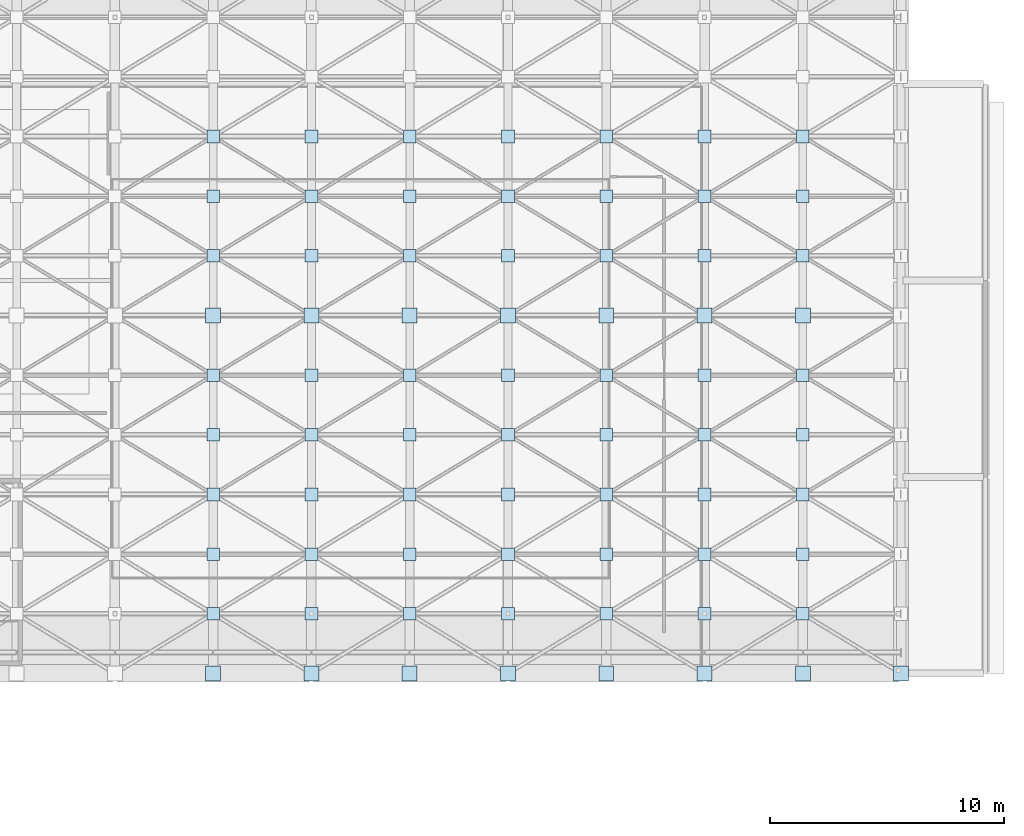
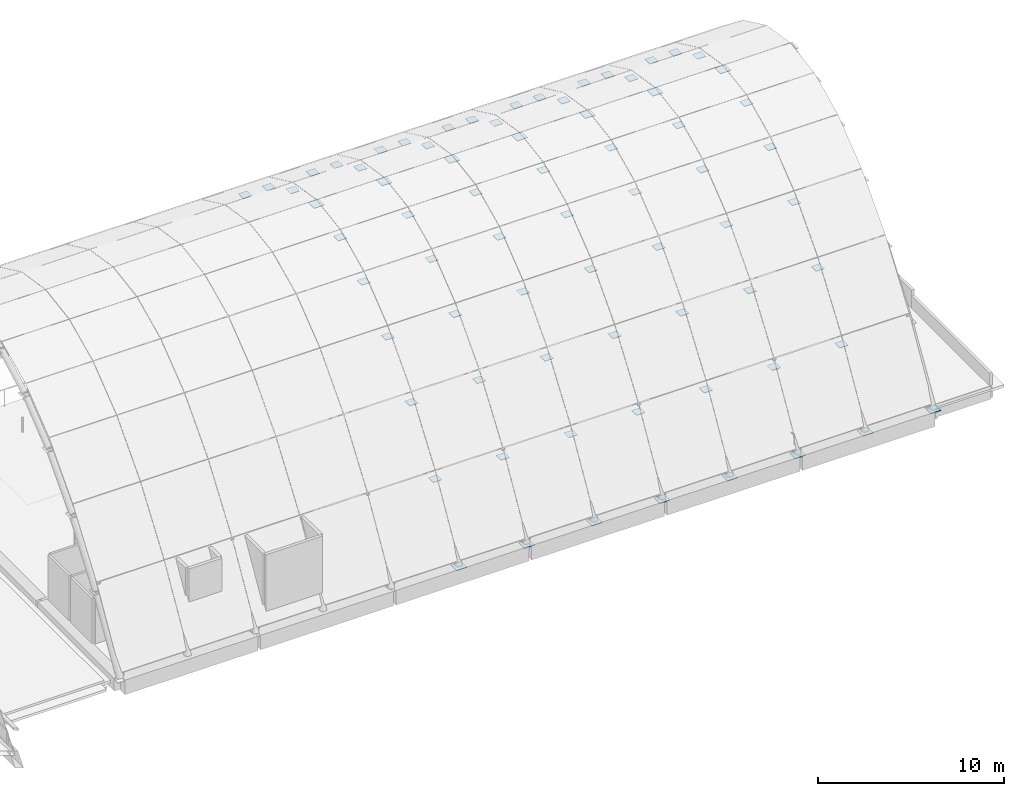
# One storey, part 48 of 128: 71 plates.
"""IFC4 building model written with IfcOpenShell, lengths in metres."""

from ifc_helpers import new_model, si_unit, direction, frame, origin, origin_2d, place, context, subcontext, project, spatial, rectangle, extrude, material, layer, layer_set, type_object, element, save


model = new_model("IFC4")

# Units and contexts
model_context = context("Model", 3, precision=1e-05, world=origin(), true_north=direction((0.0, 1.0)))
body_context = subcontext(model_context, "Body", "Model", "MODEL_VIEW")
ifc_project = project(units=[si_unit("LENGTHUNIT", "METRE"), si_unit("AREAUNIT", "SQUARE_METRE"), si_unit("VOLUMEUNIT", "CUBIC_METRE"), si_unit("PLANEANGLEUNIT", "RADIAN"), si_unit("MASSUNIT", "GRAM", prefix="KILO")], contexts=[model_context])

# Site, building, storey
site_placement = place(None, origin())
site = spatial("IfcSite", under=ifc_project, at=site_placement, CompositionType="ELEMENT")
building_placement = place(site_placement, origin())
building = spatial("IfcBuilding", under=site, at=building_placement, Name="Telukmera Botanical Conservatory", CompositionType="ELEMENT")
storey_placement = place(building_placement, frame((0.0, 0.0, 5.39990234375)))
storey = spatial("IfcBuildingStorey", under=building, at=storey_placement, Name="L01", CompositionType="ELEMENT", Elevation=5.39990234375)

# Plates
ifc_material = material(Name="Steel S355", Category="steel")
ifc_layer_1 = layer(ifc_material, 0.031982421875)
ifc_layer_set_1 = layer_set([ifc_layer_1], Name="Steel S355")
plate_type_1 = type_object("IfcPlateType", Name="Plate_GN1", PredefinedType="USERDEFINED", material=ifc_layer_set_1)
for number, where, z_axis, x_axis, name in (
    (1, (138.60009765625, 17.60009765625, -0.095703125), (0.0, 0.0, 1.0), (1.0, 0.0, 0.0), "GN1 Gridshell Welded Node Drum (05-00)"),
    (2, (138.60009765625, 32.89990234375, 14.38427734375), (0.0, 0.0, 1.0), (1.0, 0.0, 0.0), "GN1 Gridshell Welded Node Drum (05-06)"),
    (3, (142.800048828125, 17.60009765625, -0.095703125), (0.0, 0.0, 1.0), (1.0, 0.0, 0.0), "GN1 Gridshell Welded Node Drum (06-00)"),
    (4, (142.800048828125, 32.89990234375, 14.38427734375), (0.0, 0.0, 1.0), (1.0, 0.0, 0.0), "GN1 Gridshell Welded Node Drum (06-06)"),
    (5, (147.0, 17.60009765625, -0.095703125), (0.0, 0.0, 1.0), (1.0, 0.0, 0.0), "GN1 Gridshell Welded Node Drum (07-00)"),
    (6, (147.0, 32.89990234375, 14.38427734375), (0.0, 0.0, 1.0), (1.0, 0.0, 0.0), "GN1 Gridshell Welded Node Drum (07-06)"),
    (7, (151.199951171875, 17.60009765625, -0.095703125), (0.0, 0.0, 1.0), (1.0, 0.0, 0.0), "GN1 Gridshell Welded Node Drum (08-00)"),
    (8, (151.199951171875, 32.89990234375, 14.38427734375), (0.0, 0.0, 1.0), (1.0, 0.0, 0.0), "GN1 Gridshell Welded Node Drum (08-06)"),
    (9, (155.39990234375, 17.60009765625, -0.095703125), (0.0, 0.0, 1.0), (1.0, 0.0, 0.0), "GN1 Gridshell Welded Node Drum (09-00)"),
    (10, (155.39990234375, 32.89990234375, 14.38427734375), (0.0, 0.0, 1.0), (1.0, 0.0, 0.0), "GN1 Gridshell Welded Node Drum (09-06)"),
    (11, (159.60009765625, 17.60009765625, -0.095703125), (0.0, 0.0, 1.0), (1.0, 0.0, 0.0), "GN1 Gridshell Welded Node Drum (10-00)"),
    (12, (159.60009765625, 32.89990234375, 14.38427734375), (0.0, 0.0, 1.0), (1.0, 0.0, 0.0), "GN1 Gridshell Welded Node Drum (10-06)"),
    (13, (163.800048828125, 17.60009765625, -0.095703125), (0.0, 0.0, 1.0), (1.0, 0.0, 0.0), "GN1 Gridshell Welded Node Drum (11-00)"),
    (14, (163.800048828125, 32.89990234375, 14.38427734375), (0.0, 0.0, 1.0), (1.0, 0.0, 0.0), "GN1 Gridshell Welded Node Drum (11-06)"),
    (15, (168.0, 17.60009765625, -0.095703125), (0.0, 0.0, 1.0), (1.0, 0.0, 0.0), "GN1 Gridshell Welded Node Drum (12-00)"),
):
    element("IfcPlate", number, at=place(storey_placement, frame(where, z_axis=z_axis, x_axis=x_axis)), inside=storey, type_object=plate_type_1, Name=name, ObjectType="GUSSET_PLATE", PredefinedType="USERDEFINED", context=body_context, shape_type="SweptSolid", body=[
        extrude(rectangle(XDim=0.639892578125, YDim=0.639892578125, at=origin_2d()), origin(), (0.0, 0.0, 1.0), 0.031982421875),
    ])
ifc_layer_2 = layer(ifc_material, 0.02490234375)
ifc_layer_set_2 = layer_set([ifc_layer_2], Name="Steel S355")
plate_type_2 = type_object("IfcPlateType", Name="Plate_GN2", PredefinedType="USERDEFINED", material=ifc_layer_set_2)
for number, where, z_axis, x_axis, name in (
    (16, (138.60009765625, 20.14990234375, 4.0908203125), (0.0, 0.0, 1.0), (1.0, 0.0, 0.0), "GN2 Gridshell Welded Node Drum (05-01)"),
    (17, (138.60009765625, 22.699951171875, 7.56591796875), (0.0, 0.0, 1.0), (1.0, 0.0, 0.0), "GN2 Gridshell Welded Node Drum (05-02)"),
    (18, (138.60009765625, 25.25, 10.333251953125), (0.0, 0.0, 1.0), (1.0, 0.0, 0.0), "GN2 Gridshell Welded Node Drum (05-03)"),
    (19, (138.60009765625, 27.800048828125, 12.392578125), (0.0, 0.0, 1.0), (1.0, 0.0, 0.0), "GN2 Gridshell Welded Node Drum (05-04)"),
    (20, (138.60009765625, 30.35009765625, 13.744140625), (0.0, 0.0, 1.0), (1.0, 0.0, 0.0), "GN2 Gridshell Welded Node Drum (05-05)"),
    (21, (138.60009765625, 35.449951171875, 13.744140625), (0.0, 0.0, 1.0), (1.0, 0.0, 0.0), "GN2 Gridshell Welded Node Drum (05-07)"),
    (22, (138.60009765625, 38.0, 12.392578125), (0.0, 0.0, 1.0), (1.0, 0.0, 0.0), "GN2 Gridshell Welded Node Drum (05-08)"),
    (23, (138.60009765625, 40.550048828125, 10.333251953125), (0.0, 0.0, 1.0), (1.0, 0.0, 0.0), "GN2 Gridshell Welded Node Drum (05-09)"),
    (24, (142.800048828125, 20.14990234375, 4.0908203125), (0.0, 0.0, 1.0), (1.0, 0.0, 0.0), "GN2 Gridshell Welded Node Drum (06-01)"),
    (25, (142.800048828125, 22.699951171875, 7.56591796875), (0.0, 0.0, 1.0), (1.0, 0.0, 0.0), "GN2 Gridshell Welded Node Drum (06-02)"),
    (26, (142.800048828125, 25.25, 10.333251953125), (0.0, 0.0, 1.0), (1.0, 0.0, 0.0), "GN2 Gridshell Welded Node Drum (06-03)"),
    (27, (142.800048828125, 27.800048828125, 12.392578125), (0.0, 0.0, 1.0), (1.0, 0.0, 0.0), "GN2 Gridshell Welded Node Drum (06-04)"),
    (28, (142.800048828125, 30.35009765625, 13.744140625), (0.0, 0.0, 1.0), (1.0, 0.0, 0.0), "GN2 Gridshell Welded Node Drum (06-05)"),
    (29, (142.800048828125, 35.449951171875, 13.744140625), (0.0, 0.0, 1.0), (1.0, 0.0, 0.0), "GN2 Gridshell Welded Node Drum (06-07)"),
    (30, (142.800048828125, 38.0, 12.392578125), (0.0, 0.0, 1.0), (1.0, 0.0, 0.0), "GN2 Gridshell Welded Node Drum (06-08)"),
    (31, (142.800048828125, 40.550048828125, 10.333251953125), (0.0, 0.0, 1.0), (1.0, 0.0, 0.0), "GN2 Gridshell Welded Node Drum (06-09)"),
    (32, (147.0, 20.14990234375, 4.0908203125), (0.0, 0.0, 1.0), (1.0, 0.0, 0.0), "GN2 Gridshell Welded Node Drum (07-01)"),
    (33, (147.0, 22.699951171875, 7.56591796875), (0.0, 0.0, 1.0), (1.0, 0.0, 0.0), "GN2 Gridshell Welded Node Drum (07-02)"),
    (34, (147.0, 25.25, 10.333251953125), (0.0, 0.0, 1.0), (1.0, 0.0, 0.0), "GN2 Gridshell Welded Node Drum (07-03)"),
    (35, (147.0, 27.800048828125, 12.392578125), (0.0, 0.0, 1.0), (1.0, 0.0, 0.0), "GN2 Gridshell Welded Node Drum (07-04)"),
    (36, (147.0, 30.35009765625, 13.744140625), (0.0, 0.0, 1.0), (1.0, 0.0, 0.0), "GN2 Gridshell Welded Node Drum (07-05)"),
    (37, (147.0, 35.449951171875, 13.744140625), (0.0, 0.0, 1.0), (1.0, 0.0, 0.0), "GN2 Gridshell Welded Node Drum (07-07)"),
    (38, (147.0, 38.0, 12.392578125), (0.0, 0.0, 1.0), (1.0, 0.0, 0.0), "GN2 Gridshell Welded Node Drum (07-08)"),
    (39, (147.0, 40.550048828125, 10.333251953125), (0.0, 0.0, 1.0), (1.0, 0.0, 0.0), "GN2 Gridshell Welded Node Drum (07-09)"),
    (40, (151.199951171875, 20.14990234375, 4.0908203125), (0.0, 0.0, 1.0), (1.0, 0.0, 0.0), "GN2 Gridshell Welded Node Drum (08-01)"),
    (41, (151.199951171875, 22.699951171875, 7.56591796875), (0.0, 0.0, 1.0), (1.0, 0.0, 0.0), "GN2 Gridshell Welded Node Drum (08-02)"),
    (42, (151.199951171875, 25.25, 10.333251953125), (0.0, 0.0, 1.0), (1.0, 0.0, 0.0), "GN2 Gridshell Welded Node Drum (08-03)"),
    (43, (151.199951171875, 27.800048828125, 12.392578125), (0.0, 0.0, 1.0), (1.0, 0.0, 0.0), "GN2 Gridshell Welded Node Drum (08-04)"),
    (44, (151.199951171875, 30.35009765625, 13.744140625), (0.0, 0.0, 1.0), (1.0, 0.0, 0.0), "GN2 Gridshell Welded Node Drum (08-05)"),
    (45, (151.199951171875, 35.449951171875, 13.744140625), (0.0, 0.0, 1.0), (1.0, 0.0, 0.0), "GN2 Gridshell Welded Node Drum (08-07)"),
    (46, (151.199951171875, 38.0, 12.392578125), (0.0, 0.0, 1.0), (1.0, 0.0, 0.0), "GN2 Gridshell Welded Node Drum (08-08)"),
    (47, (151.199951171875, 40.550048828125, 10.333251953125), (0.0, 0.0, 1.0), (1.0, 0.0, 0.0), "GN2 Gridshell Welded Node Drum (08-09)"),
    (48, (155.39990234375, 20.14990234375, 4.0908203125), (0.0, 0.0, 1.0), (1.0, 0.0, 0.0), "GN2 Gridshell Welded Node Drum (09-01)"),
    (49, (155.39990234375, 22.699951171875, 7.56591796875), (0.0, 0.0, 1.0), (1.0, 0.0, 0.0), "GN2 Gridshell Welded Node Drum (09-02)"),
    (50, (155.39990234375, 25.25, 10.333251953125), (0.0, 0.0, 1.0), (1.0, 0.0, 0.0), "GN2 Gridshell Welded Node Drum (09-03)"),
    (51, (155.39990234375, 27.800048828125, 12.392578125), (0.0, 0.0, 1.0), (1.0, 0.0, 0.0), "GN2 Gridshell Welded Node Drum (09-04)"),
    (52, (155.39990234375, 30.35009765625, 13.744140625), (0.0, 0.0, 1.0), (1.0, 0.0, 0.0), "GN2 Gridshell Welded Node Drum (09-05)"),
    (53, (155.39990234375, 35.449951171875, 13.744140625), (0.0, 0.0, 1.0), (1.0, 0.0, 0.0), "GN2 Gridshell Welded Node Drum (09-07)"),
    (54, (155.39990234375, 38.0, 12.392578125), (0.0, 0.0, 1.0), (1.0, 0.0, 0.0), "GN2 Gridshell Welded Node Drum (09-08)"),
    (55, (155.39990234375, 40.550048828125, 10.333251953125), (0.0, 0.0, 1.0), (1.0, 0.0, 0.0), "GN2 Gridshell Welded Node Drum (09-09)"),
    (56, (159.60009765625, 20.14990234375, 4.0908203125), (0.0, 0.0, 1.0), (1.0, 0.0, 0.0), "GN2 Gridshell Welded Node Drum (10-01)"),
    (57, (159.60009765625, 22.699951171875, 7.56591796875), (0.0, 0.0, 1.0), (1.0, 0.0, 0.0), "GN2 Gridshell Welded Node Drum (10-02)"),
    (58, (159.60009765625, 25.25, 10.333251953125), (0.0, 0.0, 1.0), (1.0, 0.0, 0.0), "GN2 Gridshell Welded Node Drum (10-03)"),
    (59, (159.60009765625, 27.800048828125, 12.392578125), (0.0, 0.0, 1.0), (1.0, 0.0, 0.0), "GN2 Gridshell Welded Node Drum (10-04)"),
    (60, (159.60009765625, 30.35009765625, 13.744140625), (0.0, 0.0, 1.0), (1.0, 0.0, 0.0), "GN2 Gridshell Welded Node Drum (10-05)"),
    (61, (159.60009765625, 35.449951171875, 13.744140625), (0.0, 0.0, 1.0), (1.0, 0.0, 0.0), "GN2 Gridshell Welded Node Drum (10-07)"),
    (62, (159.60009765625, 38.0, 12.392578125), (0.0, 0.0, 1.0), (1.0, 0.0, 0.0), "GN2 Gridshell Welded Node Drum (10-08)"),
    (63, (159.60009765625, 40.550048828125, 10.333251953125), (0.0, 0.0, 1.0), (1.0, 0.0, 0.0), "GN2 Gridshell Welded Node Drum (10-09)"),
    (64, (163.800048828125, 20.14990234375, 4.0908203125), (0.0, 0.0, 1.0), (1.0, 0.0, 0.0), "GN2 Gridshell Welded Node Drum (11-01)"),
    (65, (163.800048828125, 22.699951171875, 7.56591796875), (0.0, 0.0, 1.0), (1.0, 0.0, 0.0), "GN2 Gridshell Welded Node Drum (11-02)"),
    (66, (163.800048828125, 25.25, 10.333251953125), (0.0, 0.0, 1.0), (1.0, 0.0, 0.0), "GN2 Gridshell Welded Node Drum (11-03)"),
    (67, (163.800048828125, 27.800048828125, 12.392578125), (0.0, 0.0, 1.0), (1.0, 0.0, 0.0), "GN2 Gridshell Welded Node Drum (11-04)"),
    (68, (163.800048828125, 30.35009765625, 13.744140625), (0.0, 0.0, 1.0), (1.0, 0.0, 0.0), "GN2 Gridshell Welded Node Drum (11-05)"),
    (69, (163.800048828125, 35.449951171875, 13.744140625), (0.0, 0.0, 1.0), (1.0, 0.0, 0.0), "GN2 Gridshell Welded Node Drum (11-07)"),
    (70, (163.800048828125, 38.0, 12.392578125), (0.0, 0.0, 1.0), (1.0, 0.0, 0.0), "GN2 Gridshell Welded Node Drum (11-08)"),
    (71, (163.800048828125, 40.550048828125, 10.333251953125), (0.0, 0.0, 1.0), (1.0, 0.0, 0.0), "GN2 Gridshell Welded Node Drum (11-09)"),
):
    element("IfcPlate", number, at=place(storey_placement, frame(where, z_axis=z_axis, x_axis=x_axis)), inside=storey, type_object=plate_type_2, Name=name, ObjectType="GUSSET_PLATE", PredefinedType="USERDEFINED", context=body_context, shape_type="SweptSolid", body=[
        extrude(rectangle(XDim=0.5400390625, YDim=0.5400390625, at=origin_2d()), origin(), (0.0, 0.0, 1.0), 0.02490234375),
    ])

save(model, "model.ifc")
